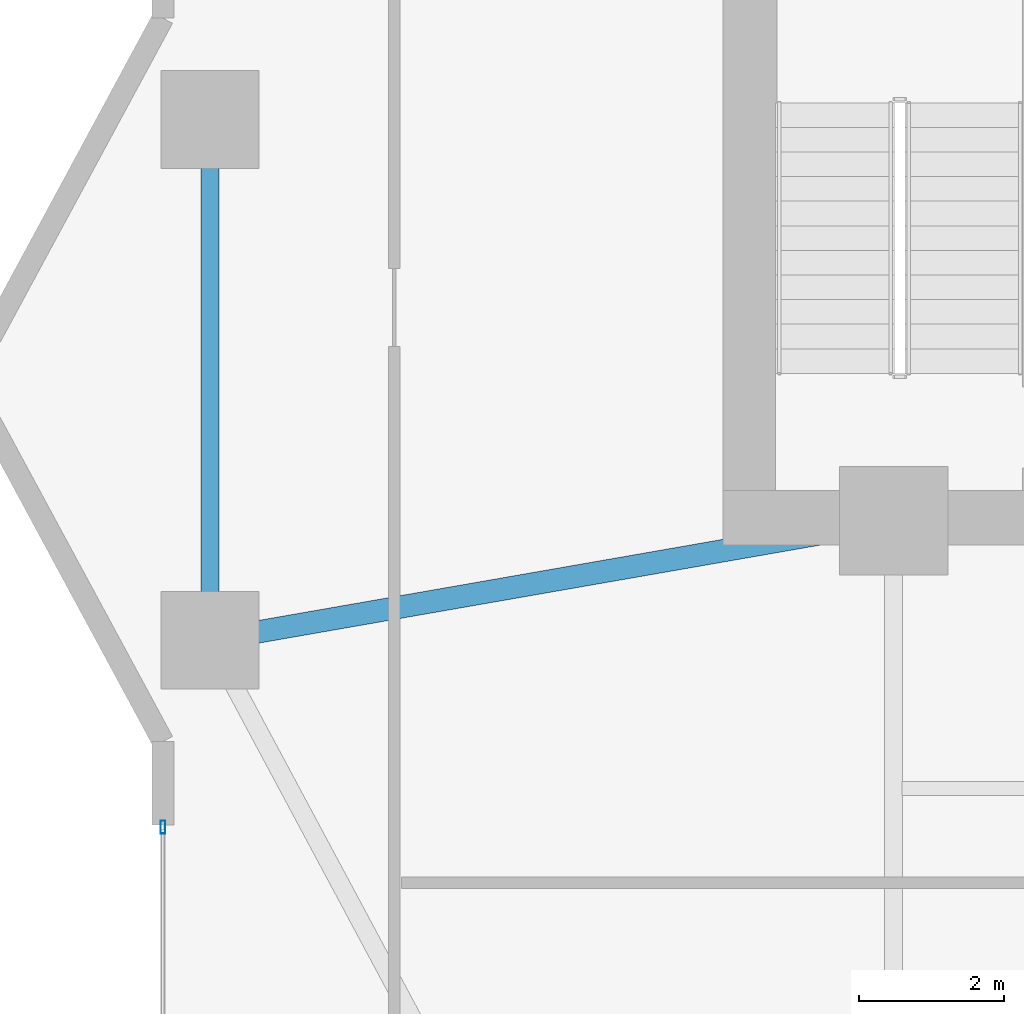
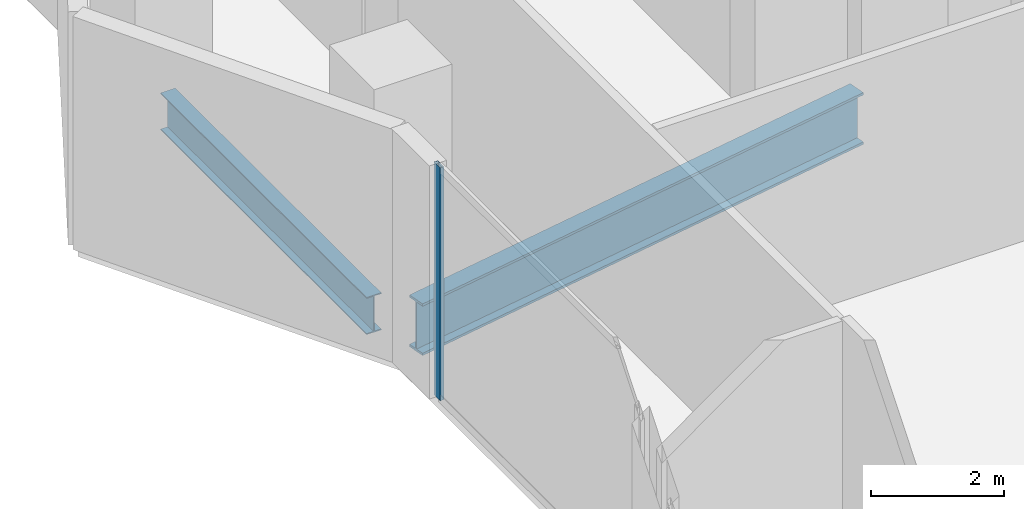
# One storey, part 8 of 33: 2 beams, 1 member, 1 element without a shape of its own.
"""IFC4 building model written with IfcOpenShell, lengths in metres."""

from ifc_helpers import new_model, si_unit, direction, frame, origin, origin_2d, place, context, subcontext, project, spatial, hollow_rectangle, i_section, extrude, material, layer, layer_set, material_profile, profile_set, type_object, element, aggregate, save


model = new_model("IFC4")

# Units and contexts
model_context = context("Model", 3, precision=1e-05, world=origin(), true_north=direction((0.0, 1.0)))
body_context = subcontext(model_context, "Body", "Model", "MODEL_VIEW")
ifc_project = project(units=[si_unit("LENGTHUNIT", "METRE"), si_unit("AREAUNIT", "SQUARE_METRE"), si_unit("VOLUMEUNIT", "CUBIC_METRE"), si_unit("PLANEANGLEUNIT", "RADIAN"), si_unit("MASSUNIT", "GRAM", prefix="KILO")], contexts=[model_context])

# Site, building, storey
site_placement = place(None, origin())
site = spatial("IfcSite", under=ifc_project, at=site_placement, CompositionType="ELEMENT")
building_placement = place(site_placement, origin())
building = spatial("IfcBuilding", under=site, at=building_placement, Name="Zuhayl Quay Hotel", CompositionType="ELEMENT")
storey_placement = place(building_placement, frame((0.0, 0.0, 154.050048828125)))
storey = spatial("IfcBuildingStorey", under=building, at=storey_placement, Name="L39", CompositionType="ELEMENT", Elevation=154.050048828125)

# Beams
ifc_material_1 = material(Name="Steel ASTM A992 Grade 50", Category="steel")
ifc_material_profile_1 = material_profile(ifc_material_1, i_section(OverallWidth=0.25390625, OverallDepth=0.68310546875, WebThickness=0.012451171875, FlangeThickness=0.018798828125, at=origin_2d()), Name="W27X94")
ifc_profile_set_1 = profile_set([ifc_material_profile_1], Name="Steel ASTM A992 Grade 50")
beam_type_1 = type_object("IfcBeamType", Name="BM_B2_W27X94", PredefinedType="BEAM", material=ifc_profile_set_1)
beam_1_placement = place(storey_placement, frame((-23.25, 9.60009765625, -0.5615234375), z_axis=(0.0, -1.0, 0.0), x_axis=(1.0, 0.0, 0.0)))
element("IfcBeam", 1, at=beam_1_placement, inside=storey, type_object=beam_type_1, Name="L39 Floor Beam RG_L39_11", PredefinedType="BEAM", context=body_context, shape_type="SweptSolid", body=[
    extrude(i_section(OverallWidth=0.25390625, OverallDepth=0.68310546875, WebThickness=0.012451171875, FlangeThickness=0.018798828125, at=origin_2d()), origin(), (0.0, 0.0, 1.0), 6.2001953125),
])
ifc_material_profile_2 = material_profile(ifc_material_1, i_section(OverallWidth=0.31005859375, OverallDepth=0.949951171875, WebThickness=0.0244140625, FlangeThickness=0.0439453125, at=origin_2d()), Name="W36X256")
ifc_profile_set_2 = profile_set([ifc_material_profile_2], Name="Steel ASTM A992 Grade 50")
beam_type_2 = type_object("IfcBeamType", Name="BM_PG1_W36X256", PredefinedType="BEAM", material=ifc_profile_set_2)
beam_2_placement = place(storey_placement, frame((-22.757568359375, 2.986083984375, -0.695068359375), z_axis=(0.985097302632, 0.171997977741, 0.0), x_axis=(-0.171997977741, 0.985097302632, 0.0)))
element("IfcBeam", 2, at=beam_2_placement, inside=storey, type_object=beam_type_2, Name="L39 Floor Beam FG_W_L39_1", PredefinedType="BEAM", context=body_context, shape_type="SweptSolid", body=[
    extrude(i_section(OverallWidth=0.31005859375, OverallDepth=0.949951171875, WebThickness=0.0244140625, FlangeThickness=0.0439453125, at=origin_2d()), origin(), (0.0, 0.0, 1.0), 8.64306640625),
])

# Curtain wall, member
ifc_material_2 = material(Name="Anodised Aluminium 6063-T6", Category="aluminium")
ifc_layer = layer(ifc_material_2, 0.179931640625, Name="Anodised Aluminium 6063-T6", Category="aluminium")
ifc_layer_set = layer_set([ifc_layer], Name="Anodised Aluminium 6063-T6")
curtain_wall_type = type_object("IfcCurtainWallType", Name="CW_SYS_Z2", PredefinedType="USERDEFINED", material=ifc_layer_set)
curtain_wall_placement = place(storey_placement, origin())
curtain_wall = element("IfcCurtainWall", 3, at=curtain_wall_placement, inside=storey, type_object=curtain_wall_type, Name="L39 Curtain Wall ENV_L39_E02_CW2", ObjectType="UNITISED CURTAIN WALL", PredefinedType="USERDEFINED")
ifc_material_3 = material(Name="Black-anodised aluminium 6063-T6", Category="aluminium")
ifc_material_profile_3 = material_profile(ifc_material_3, hollow_rectangle(XDim=0.06494140625, YDim=0.179931640625, WallThickness=0.00341796875, at=origin_2d()), Name="ALU180X65")
ifc_profile_set_3 = profile_set([ifc_material_profile_3], Name="Black-anodised aluminium 6063-T6")
member_type = type_object("IfcMemberType", Name="MB_CW_MUL_180", PredefinedType="MULLION", material=ifc_profile_set_3)
member_placement = place(storey_placement, frame((-23.89990234375, 0.3173828125, 0.0), z_axis=(0.0, 0.0, 1.0), x_axis=(-1.0, 0.0, 0.0)))
member = element("IfcMember", 4, at=member_placement, type_object=member_type, Name="CW-Z2 mullion 2", PredefinedType="MULLION", context=body_context, shape_type="SweptSolid", body=[
    extrude(hollow_rectangle(XDim=0.06494140625, YDim=0.179931640625, WallThickness=0.00341796875, at=origin_2d()), origin(), (0.0, 0.0, 1.0), 4.280029296875),
])
aggregate(curtain_wall, [member])

save(model, "model.ifc")
